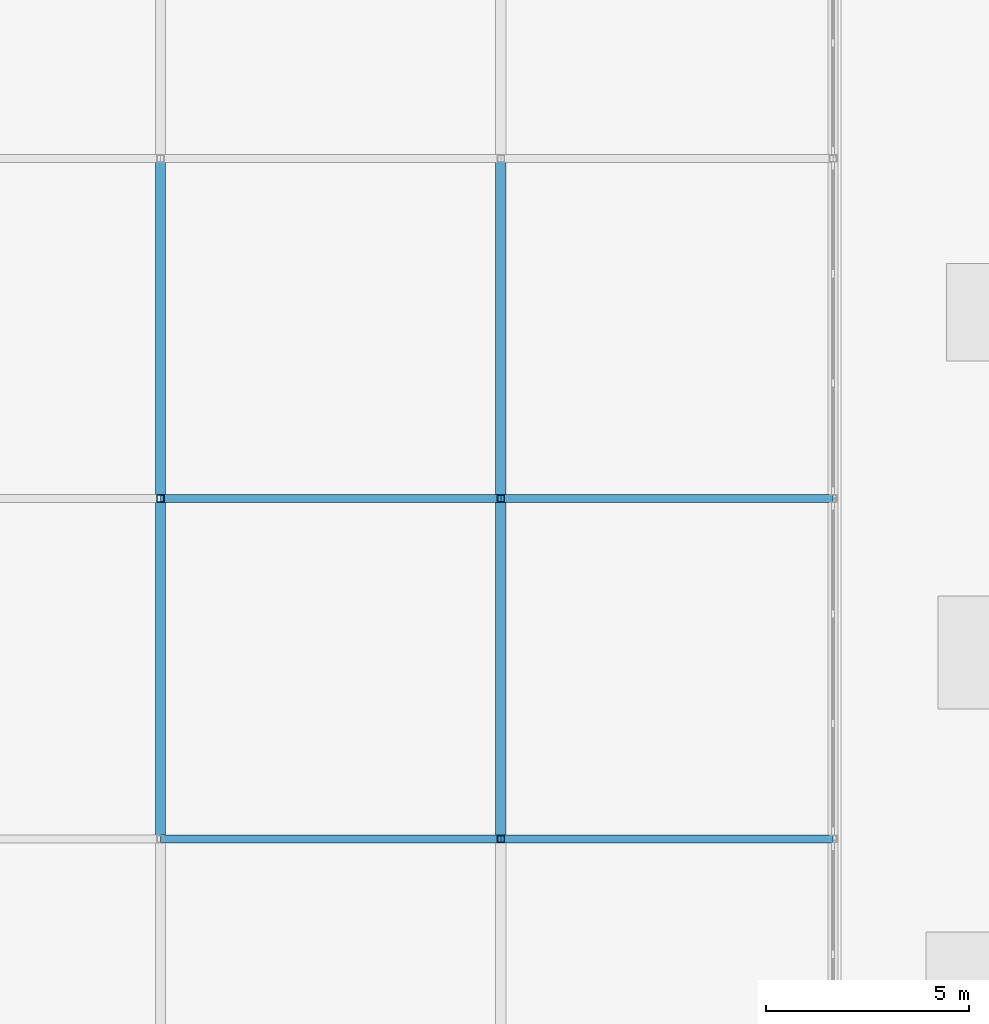
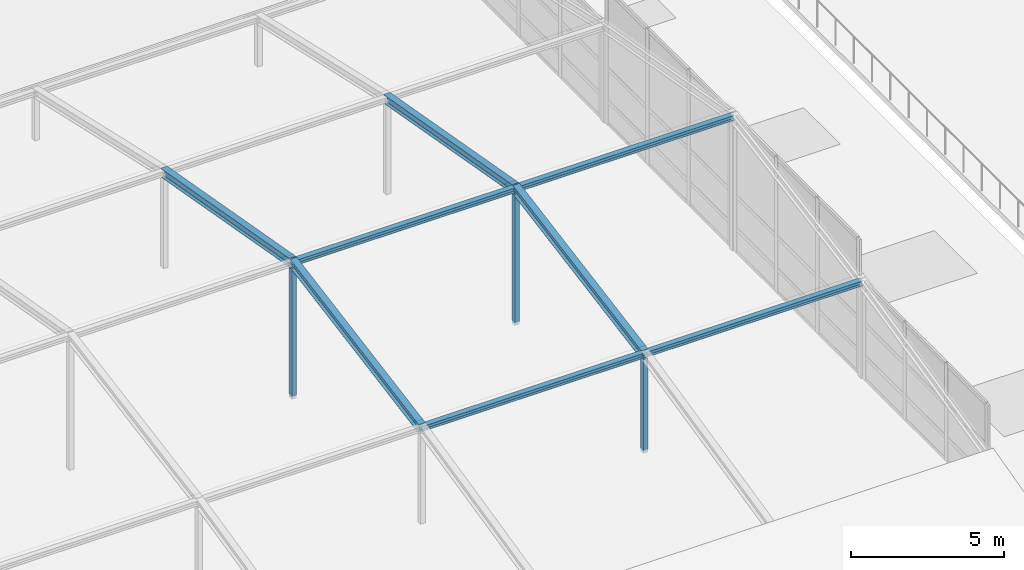
# One storey, part 11 of 34: 11 members.
"""IFC4 building model written with IfcOpenShell, lengths in metres."""

from ifc_helpers import new_model, si_unit, direction, frame, origin, origin_2d, place, context, subcontext, project, spatial, hollow_rectangle, i_section, extrude, material, material_profile, profile_set, type_object, element, save


model = new_model("IFC4")

# Units and contexts
model_context = context("Model", 3, precision=1e-05, world=origin(), true_north=direction((0.0, 1.0)))
body_context = subcontext(model_context, "Body", "Model", "MODEL_VIEW")
ifc_project = project(units=[si_unit("LENGTHUNIT", "METRE"), si_unit("AREAUNIT", "SQUARE_METRE"), si_unit("VOLUMEUNIT", "CUBIC_METRE"), si_unit("PLANEANGLEUNIT", "RADIAN"), si_unit("MASSUNIT", "GRAM", prefix="KILO")], contexts=[model_context])

# Site, building, storey
site_placement = place(None, origin())
site = spatial("IfcSite", under=ifc_project, at=site_placement, CompositionType="ELEMENT")
building_placement = place(site_placement, origin())
building = spatial("IfcBuilding", under=site, at=building_placement, Name="Xuanlan Plaza Opera House", CompositionType="ELEMENT")
storey_placement = place(building_placement, frame((0.0, 0.0, 27.89990234375)))
storey = spatial("IfcBuildingStorey", under=building, at=storey_placement, Name="L06", CompositionType="ELEMENT", Elevation=27.89990234375)

# Members
ifc_material = material(Name="Steel Q355B", Category="steel")
ifc_material_profile_1 = material_profile(ifc_material, hollow_rectangle(XDim=0.179931640625, YDim=0.179931640625, WallThickness=0.010009765625, at=origin_2d()), Name="SHS 180x180x10")
ifc_profile_set_1 = profile_set([ifc_material_profile_1], Name="Steel Q355B")
member_type_1 = type_object("IfcMemberType", Name="STR-MEM-ST-M2", PredefinedType="STRUT", material=ifc_profile_set_1)
member_1_placement = place(storey_placement, frame((92.39990234375, 58.800048828125, -0.119873046875), z_axis=(0.0, 0.0, 1.0), x_axis=(1.0, 0.0, 0.0)))
element("IfcMember", 1, at=member_1_placement, inside=storey, type_object=member_type_1, Name="Auditorium Vault Arch Post 04-3", PredefinedType="STRUT", context=body_context, shape_type="SweptSolid", body=[
    extrude(hollow_rectangle(XDim=0.179931640625, YDim=0.179931640625, WallThickness=0.010009765625, at=origin_2d()), origin(), (0.0, 0.0, 1.0), 5.39990234375),
])
member_2_placement = place(storey_placement, frame((100.800048828125, 50.39990234375, -0.119873046875), z_axis=(0.0, 0.0, 1.0), x_axis=(1.0, 0.0, 0.0)))
element("IfcMember", 2, at=member_2_placement, inside=storey, type_object=member_type_1, Name="Auditorium Vault Arch Post 05-2", PredefinedType="STRUT", context=body_context, shape_type="SweptSolid", body=[
    extrude(hollow_rectangle(XDim=0.179931640625, YDim=0.179931640625, WallThickness=0.010009765625, at=origin_2d()), origin(), (0.0, 0.0, 1.0), 3.89990234375),
])
member_3_placement = place(storey_placement, frame((100.800048828125, 58.800048828125, -0.119873046875), z_axis=(0.0, 0.0, 1.0), x_axis=(1.0, 0.0, 0.0)))
element("IfcMember", 3, at=member_3_placement, inside=storey, type_object=member_type_1, Name="Auditorium Vault Arch Post 05-3", PredefinedType="STRUT", context=body_context, shape_type="SweptSolid", body=[
    extrude(hollow_rectangle(XDim=0.179931640625, YDim=0.179931640625, WallThickness=0.010009765625, at=origin_2d()), origin(), (0.0, 0.0, 1.0), 5.39990234375),
])
ifc_material_profile_2 = material_profile(ifc_material, i_section(OverallWidth=0.25, OverallDepth=0.340087890625, WebThickness=0.009033203125, FlangeThickness=0.013916015625, FilletRadius=0.01611328125, at=origin_2d()), Name="HM 340x250x9x14")
ifc_profile_set_2 = profile_set([ifc_material_profile_2], Name="Steel Q355B")
member_type_2 = type_object("IfcMemberType", Name="STR-MEM-TC-01", PredefinedType="CHORD", material=ifc_profile_set_2)
member_4_placement = place(storey_placement, frame((92.39990234375, 50.39990234375, 3.780029296875), z_axis=(0.0, 0.984428105997, 0.17578766772), x_axis=(-1.0, 0.0, 0.0)))
element("IfcMember", 4, at=member_4_placement, inside=storey, type_object=member_type_2, Name="Auditorium Parabolic Vault Arch Chord 04-3", PredefinedType="CHORD", context=body_context, shape_type="SweptSolid", body=[
    extrude(i_section(OverallWidth=0.25, OverallDepth=0.340087890625, WebThickness=0.009033203125, FlangeThickness=0.013916015625, FilletRadius=0.01611328125, at=origin_2d()), origin(), (0.0, 0.0, 1.0), 8.532958984375),
])
member_5_placement = place(storey_placement, frame((92.39990234375, 58.800048828125, 5.280029296875), z_axis=(0.0, 0.984427221834, -0.175792619048), x_axis=(-1.0, 0.0, 0.0)))
element("IfcMember", 5, at=member_5_placement, inside=storey, type_object=member_type_2, Name="Auditorium Parabolic Vault Arch Chord 04-4", PredefinedType="CHORD", context=body_context, shape_type="SweptSolid", body=[
    extrude(i_section(OverallWidth=0.25, OverallDepth=0.340087890625, WebThickness=0.009033203125, FlangeThickness=0.013916015625, FilletRadius=0.01611328125, at=origin_2d()), origin(), (0.0, 0.0, 1.0), 8.53271484375),
])
member_6_placement = place(storey_placement, frame((100.800048828125, 50.39990234375, 3.780029296875), z_axis=(0.0, 0.984428105997, 0.17578766772), x_axis=(-1.0, 0.0, 0.0)))
element("IfcMember", 6, at=member_6_placement, inside=storey, type_object=member_type_2, Name="Auditorium Parabolic Vault Arch Chord 05-3", PredefinedType="CHORD", context=body_context, shape_type="SweptSolid", body=[
    extrude(i_section(OverallWidth=0.25, OverallDepth=0.340087890625, WebThickness=0.009033203125, FlangeThickness=0.013916015625, FilletRadius=0.01611328125, at=origin_2d()), origin(), (0.0, 0.0, 1.0), 8.532958984375),
])
member_7_placement = place(storey_placement, frame((100.800048828125, 58.800048828125, 5.280029296875), z_axis=(0.0, 0.984427221834, -0.175792619048), x_axis=(-1.0, 0.0, 0.0)))
element("IfcMember", 7, at=member_7_placement, inside=storey, type_object=member_type_2, Name="Auditorium Parabolic Vault Arch Chord 05-4", PredefinedType="CHORD", context=body_context, shape_type="SweptSolid", body=[
    extrude(i_section(OverallWidth=0.25, OverallDepth=0.340087890625, WebThickness=0.009033203125, FlangeThickness=0.013916015625, FilletRadius=0.01611328125, at=origin_2d()), origin(), (0.0, 0.0, 1.0), 8.53271484375),
])
ifc_material_profile_3 = material_profile(ifc_material, i_section(OverallWidth=0.199951171875, OverallDepth=0.199951171875, WebThickness=0.008056640625, FlangeThickness=0.011962890625, FilletRadius=0.012939453125, at=origin_2d()), Name="HW 200x200x8x12")
ifc_profile_set_3 = profile_set([ifc_material_profile_3], Name="Steel Q355B")
member_type_3 = type_object("IfcMemberType", Name="STR-MEM-TC-02", PredefinedType="CHORD", material=ifc_profile_set_3)
for number, where, z_axis, x_axis, name in (
    (8, (92.39990234375, 50.39990234375, 3.780029296875), (1.0, 0.0, 0.0), (0.0, 1.0, 0.0), "Auditorium Vault Longitudinal Chord 04-2"),
    (9, (92.39990234375, 58.800048828125, 5.280029296875), (1.0, 0.0, 0.0), (0.0, 1.0, 0.0), "Auditorium Vault Longitudinal Chord 04-3"),
):
    element("IfcMember", number, at=place(storey_placement, frame(where, z_axis=z_axis, x_axis=x_axis)), inside=storey, type_object=member_type_3, Name=name, PredefinedType="CHORD", context=body_context, shape_type="SweptSolid", body=[
        extrude(i_section(OverallWidth=0.199951171875, OverallDepth=0.199951171875, WebThickness=0.008056640625, FlangeThickness=0.011962890625, FilletRadius=0.012939453125, at=origin_2d()), origin(), (0.0, 0.0, 1.0), 8.400146484375),
    ])
for number, where, z_axis, x_axis, name in (
    (10, (100.800048828125, 50.39990234375, 3.780029296875), (1.0, 0.0, 0.0), (0.0, 1.0, 0.0), "Auditorium Vault Longitudinal Chord 05-2"),
    (11, (100.800048828125, 58.800048828125, 5.280029296875), (1.0, 0.0, 0.0), (0.0, 1.0, 0.0), "Auditorium Vault Longitudinal Chord 05-3"),
):
    element("IfcMember", number, at=place(storey_placement, frame(where, z_axis=z_axis, x_axis=x_axis)), inside=storey, type_object=member_type_3, Name=name, PredefinedType="CHORD", context=body_context, shape_type="SweptSolid", body=[
        extrude(i_section(OverallWidth=0.199951171875, OverallDepth=0.199951171875, WebThickness=0.008056640625, FlangeThickness=0.011962890625, FilletRadius=0.012939453125, at=origin_2d()), origin(), (0.0, 0.0, 1.0), 8.199951171875),
    ])

save(model, "model.ifc")
